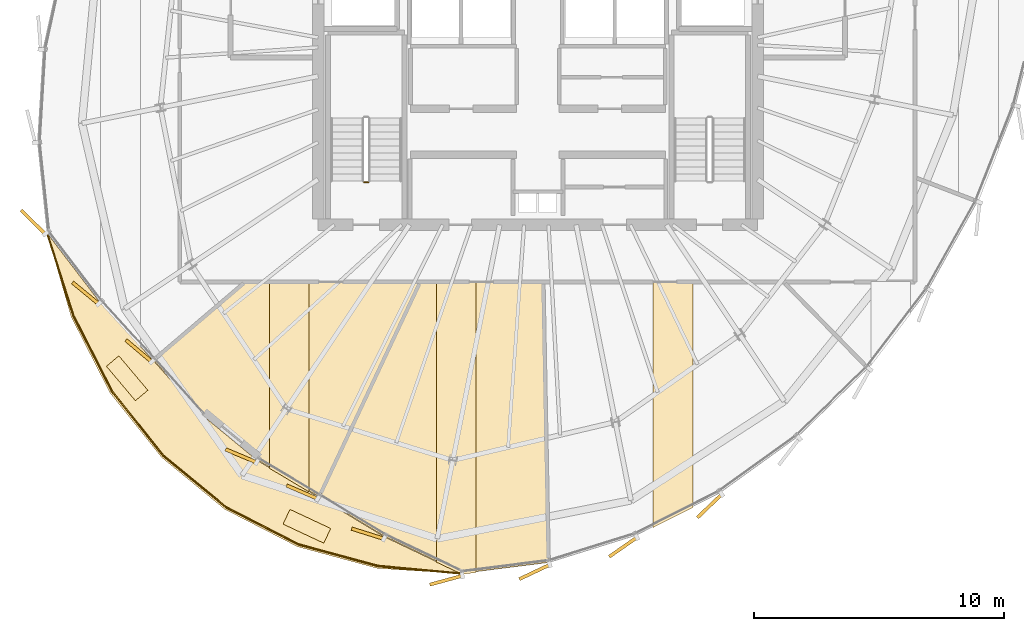
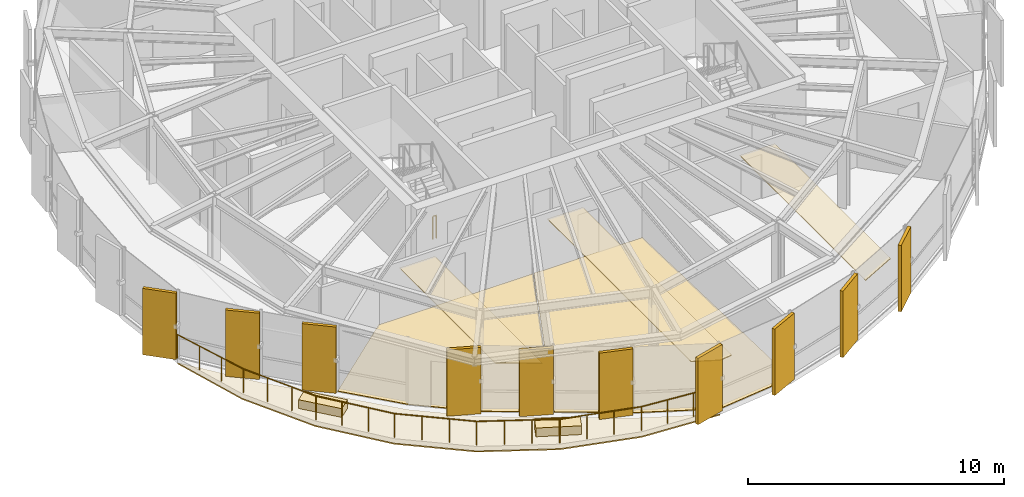
# One storey, part 30 of 34: 18 coverings, 8 railings.
"""IFC4 building model written with IfcOpenShell, lengths in metres."""

from ifc_helpers import new_model, si_unit, direction, frame, origin, origin_2d, place, context, subcontext, project, spatial, polyline, rectangle, circle, outline, extrude, source, transform, mapped, material, layer, layer_set, type_object, element, save


model = new_model("IFC4")

# Units and contexts
model_context = context("Model", 3, precision=1e-05, world=origin(), true_north=direction((0.0, 1.0)))
body_context = subcontext(model_context, "Body", "Model", "MODEL_VIEW")
ifc_project = project(units=[si_unit("LENGTHUNIT", "METRE"), si_unit("AREAUNIT", "SQUARE_METRE"), si_unit("VOLUMEUNIT", "CUBIC_METRE"), si_unit("PLANEANGLEUNIT", "RADIAN"), si_unit("MASSUNIT", "GRAM", prefix="KILO"), si_unit("THERMODYNAMICTEMPERATUREUNIT", "KELVIN")], contexts=[model_context])

# Site, building, storey
site_placement = place(None, origin())
site = spatial("IfcSite", under=ifc_project, at=site_placement, CompositionType="ELEMENT")
building_placement = place(site_placement, origin())
building = spatial("IfcBuilding", under=site, at=building_placement, Name="Kethvar Cultural Tower", CompositionType="ELEMENT")
storey_placement = place(building_placement, frame((0.0, 0.0, 262.89990234375)))
storey = spatial("IfcBuildingStorey", under=building, at=storey_placement, Name="L69", CompositionType="ELEMENT", Elevation=262.89990234375)

# Coverings
ifc_material_1 = material(Name="Acoustic Mineral Fibre Ceiling")
ifc_layer_1 = layer(ifc_material_1, 0.0400390625, Name="Acoustic Mineral Fibre Ceiling")
ifc_layer_set_1 = layer_set([ifc_layer_1], Name="Acoustic Mineral Fibre Ceiling (40 mm)")
covering_type_1 = type_object("IfcCoveringType", Name="CV-ACOUSTIC-CEIL", PredefinedType="CEILING", material=ifc_layer_set_1)
covering_1_placement = place(storey_placement, frame((0.0, 0.0, 2.340087890625)))
element("IfcCovering", 1, at=covering_1_placement, inside=storey, type_object=covering_type_1, Name="L69 Room 01 Acoustic Ceiling Panel", PredefinedType="CEILING", context=body_context, shape_type="SweptSolid", body=[
    extrude(outline(polyline([(37.640869140625, 17.826904296875), (37.640869140625, 9.404296875), (36.05078125, 10.3515625), (36.05078125, 17.826904296875), (37.640869140625, 17.826904296875)])), origin(), (0.0, 0.0, 1.0), 0.0400390625),
])
covering_2_placement = place(storey_placement, frame((0.0, 0.0, 2.340087890625)))
element("IfcCovering", 2, at=covering_2_placement, inside=storey, type_object=covering_type_1, Name="L69 Room 02 Acoustic Ceiling Panel", PredefinedType="CEILING", context=body_context, shape_type="SweptSolid", body=[
    extrude(outline(polyline([(43.765380859375, 6.10693359375), (42.7333984375, 6.595947265625), (42.7333984375, 17.826904296875), (44.323486328125, 17.826904296875), (44.323486328125, 6.17724609375), (43.765380859375, 6.10693359375)])), origin(), (0.0, 0.0, 1.0), 0.0400390625),
])
covering_3_placement = place(storey_placement, frame((0.0, 0.0, 2.340087890625)))
element("IfcCovering", 3, at=covering_3_placement, inside=storey, type_object=covering_type_1, Name="L69 Room 03 Acoustic Ceiling Panel", PredefinedType="CEILING", context=body_context, shape_type="SweptSolid", body=[
    extrude(outline(polyline([(51.417236328125, 7.97998046875), (51.417236328125, 17.826904296875), (53.00732421875, 17.826904296875), (53.00732421875, 8.784912109375), (51.417236328125, 7.97998046875)])), origin(), (0.0, 0.0, 1.0), 0.0400390625),
])
ifc_material_2 = material(Name="Insulated Waterproofing Membrane")
ifc_layer_2 = layer(ifc_material_2, 0.06005859375, Name="Insulated Waterproofing Membrane")
ifc_layer_set_2 = layer_set([ifc_layer_2], Name="Insulated Waterproofing Membrane (60 mm)")
covering_type_2 = type_object("IfcCoveringType", Name="CV-ROOF-MEMB", PredefinedType="ROOFING", material=ifc_layer_set_2)
covering_4_placement = place(storey_placement, frame((0.0, 0.0, -0.27490234375)))
element("IfcCovering", 4, at=covering_4_placement, inside=storey, type_object=covering_type_2, Name="L69 Terrace Waterproofing", PredefinedType="ROOFING", context=body_context, shape_type="SweptSolid", body=[
    extrude(outline(polyline([(27.1337890625, 19.78369140625), (28.11474609375, 16.406982421875), (29.663330078125, 13.376708984375), (31.732666015625, 10.784423828125), (34.259765625, 8.709228515625), (37.16796875, 7.214111328125), (40.36865234375, 6.344482421875), (43.764892578125, 6.126953125), (40.666015625, 7.602294921875), (38.02294921875, 9.199951171875), (35.5498046875, 10.67333984375), (33.34423828125, 12.49462890625), (31.396728515625, 14.668701171875), (29.26953125, 16.98779296875), (27.1337890625, 19.78369140625)])), origin(), (0.0, 0.0, 1.0), 0.06005859375),
])
ifc_material_3 = material(Name="Honed Warm Limestone", Category="masonry")
ifc_layer_3 = layer(ifc_material_3, 0.030029296875, Name="Honed Warm Limestone", Category="masonry")
ifc_layer_set_3 = layer_set([ifc_layer_3], Name="Honed Warm Limestone (30 mm)")
covering_type_3 = type_object("IfcCoveringType", Name="CV-STONE-FLOOR", PredefinedType="FLOORING", material=ifc_layer_set_3)
covering_5_placement = place(storey_placement, origin())
element("IfcCovering", 5, at=covering_5_placement, inside=storey, type_object=covering_type_3, Name="L69 Room 01 Floor Finish", PredefinedType="FLOORING", context=body_context, shape_type="SweptSolid", body=[
    extrude(outline(polyline([(35.5615234375, 10.689697265625), (33.358154296875, 12.50927734375), (31.42529296875, 14.666748046875), (35.08544921875, 17.787109375), (42.052978515625, 17.787109375), (38.014404296875, 9.228515625), (35.5615234375, 10.689697265625)])), origin(), (0.0, 0.0, 1.0), 0.030029296875),
])
covering_6_placement = place(storey_placement, origin())
element("IfcCovering", 6, at=covering_6_placement, inside=storey, type_object=covering_type_3, Name="L69 Room 02 Floor Finish", PredefinedType="FLOORING", context=body_context, shape_type="SweptSolid", body=[
    extrude(outline(polyline([(43.768310546875, 6.1474609375), (40.675537109375, 7.6201171875), (38.048828125, 9.207763671875), (42.09716796875, 17.787109375), (46.99365234375, 17.787109375), (47.23291015625, 6.585205078125), (43.768310546875, 6.1474609375)])), origin(), (0.0, 0.0, 1.0), 0.030029296875),
])

# Railings
ifc_material_4 = material(Name="Steel S355J2", Category="steel")
railing_type_1 = type_object("IfcRailingType", Name="RL-EXT-GUARD-1150", PredefinedType="BALUSTRADE", material=ifc_material_4)
railing_1_placement = place(storey_placement, frame((27.1337890625, 19.78369140625, 0.0)))
element("IfcRailing", 7, at=railing_1_placement, inside=storey, type_object=railing_type_1, Name="L69 Spiralling Terrace Balustrade 01", PredefinedType="BALUSTRADE", context=body_context, shape_type="SweptSolid", body=[
    extrude(circle(Radius=0.02392578125, at=origin_2d()), frame((0.0, 0.0, 1.1259765625), z_axis=(0.305425161888, -0.952216083925, 0.0), x_axis=(0.952216083925, 0.305425161888, 0.0)), (0.0, 0.0, 1.0), 3.491455078125),
    extrude(circle(Radius=0.02099609375, at=origin_2d()), origin(), (0.0, 0.0, 1.0), 1.101806640625),
    extrude(circle(Radius=0.02099609375, at=origin_2d()), frame((0.35546875, -1.108154296875, 0.0)), (0.0, 0.0, 1.0), 1.101806640625),
    extrude(circle(Radius=0.02099609375, at=origin_2d()), frame((0.7109375, -2.216552734375, 0.0)), (0.0, 0.0, 1.0), 1.101806640625),
    extrude(circle(Radius=0.02099609375, at=origin_2d()), frame((1.06640625, -3.32470703125, 0.0)), (0.0, 0.0, 1.0), 1.101806640625),
])
railing_2_placement = place(storey_placement, frame((28.2001953125, 16.458984375, 0.0)))
element("IfcRailing", 8, at=railing_2_placement, inside=storey, type_object=railing_type_1, Name="L69 Spiralling Terrace Balustrade 02", PredefinedType="BALUSTRADE", context=body_context, shape_type="SweptSolid", body=[
    extrude(circle(Radius=0.02392578125, at=origin_2d()), frame((0.0, 0.0, 1.1259765625), z_axis=(0.454462173963, -0.890766036868, 0.0), x_axis=(0.890766036868, 0.454462173963, 0.0)), (0.0, 0.0, 1.0), 3.38818359375),
    extrude(circle(Radius=0.02099609375, at=origin_2d()), origin(), (0.0, 0.0, 1.0), 1.101806640625),
    extrude(circle(Radius=0.02099609375, at=origin_2d()), frame((0.51318359375, -1.006103515625, 0.0)), (0.0, 0.0, 1.0), 1.101806640625),
    extrude(circle(Radius=0.02099609375, at=origin_2d()), frame((1.026611328125, -2.011962890625, 0.0)), (0.0, 0.0, 1.0), 1.101806640625),
    extrude(circle(Radius=0.02099609375, at=origin_2d()), frame((1.539794921875, -3.01806640625, 0.0)), (0.0, 0.0, 1.0), 1.101806640625),
])
railing_3_placement = place(storey_placement, frame((29.739990234375, 13.44091796875, 0.0)))
element("IfcRailing", 9, at=railing_3_placement, inside=storey, type_object=railing_type_1, Name="L69 Spiralling Terrace Balustrade 03", PredefinedType="BALUSTRADE", context=body_context, shape_type="SweptSolid", body=[
    extrude(circle(Radius=0.02392578125, at=origin_2d()), frame((0.0, 0.0, 1.1259765625), z_axis=(0.623558329277, -0.781776828762, 0.0), x_axis=(0.781776828762, 0.623558329277, 0.0)), (0.0, 0.0, 1.0), 3.30224609375),
    extrude(circle(Radius=0.02099609375, at=origin_2d()), origin(), (0.0, 0.0, 1.0), 1.101806640625),
    extrude(circle(Radius=0.02099609375, at=origin_2d()), frame((0.686279296875, -0.860595703125, 0.0)), (0.0, 0.0, 1.0), 1.101806640625),
    extrude(circle(Radius=0.02099609375, at=origin_2d()), frame((1.372802734375, -1.720947265625, 0.0)), (0.0, 0.0, 1.0), 1.101806640625),
    extrude(circle(Radius=0.02099609375, at=origin_2d()), frame((2.05908203125, -2.58154296875, 0.0)), (0.0, 0.0, 1.0), 1.101806640625),
])
railing_4_placement = place(storey_placement, frame((31.799072265625, 10.859375, 0.0)))
element("IfcRailing", 10, at=railing_4_placement, inside=storey, type_object=railing_type_1, Name="L69 Spiralling Terrace Balustrade 04", PredefinedType="BALUSTRADE", context=body_context, shape_type="SweptSolid", body=[
    extrude(circle(Radius=0.02392578125, at=origin_2d()), frame((0.0, 0.0, 1.1259765625), z_axis=(0.772726254525, -0.63473942336, 0.0), x_axis=(0.63473942336, 0.772726254525, 0.0)), (0.0, 0.0, 1.0), 3.255615234375),
    extrude(circle(Radius=0.02099609375, at=origin_2d()), origin(), (0.0, 0.0, 1.0), 1.101806640625),
    extrude(circle(Radius=0.02099609375, at=origin_2d()), frame((0.838623046875, -0.688720703125, 0.0)), (0.0, 0.0, 1.0), 1.101806640625),
    extrude(circle(Radius=0.02099609375, at=origin_2d()), frame((1.677001953125, -1.377685546875, 0.0)), (0.0, 0.0, 1.0), 1.101806640625),
    extrude(circle(Radius=0.02099609375, at=origin_2d()), frame((2.515625, -2.06640625, 0.0)), (0.0, 0.0, 1.0), 1.101806640625),
])
railing_5_placement = place(storey_placement, frame((34.314697265625, 8.79296875, 0.0)))
element("IfcRailing", 11, at=railing_5_placement, inside=storey, type_object=railing_type_1, Name="L69 Spiralling Terrace Balustrade 05", PredefinedType="BALUSTRADE", context=body_context, shape_type="SweptSolid", body=[
    extrude(circle(Radius=0.02392578125, at=origin_2d()), frame((0.0, 0.0, 1.1259765625), z_axis=(0.889392350018, -0.457144668272, 0.0), x_axis=(0.457144668272, 0.889392350018, 0.0)), (0.0, 0.0, 1.0), 3.255615234375),
    extrude(circle(Radius=0.02099609375, at=origin_2d()), origin(), (0.0, 0.0, 1.0), 1.101806640625),
    extrude(circle(Radius=0.02099609375, at=origin_2d()), frame((0.965087890625, -0.49609375, 0.0)), (0.0, 0.0, 1.0), 1.101806640625),
    extrude(circle(Radius=0.02099609375, at=origin_2d()), frame((1.930419921875, -0.9921875, 0.0)), (0.0, 0.0, 1.0), 1.101806640625),
    extrude(circle(Radius=0.02099609375, at=origin_2d()), frame((2.8955078125, -1.48828125, 0.0)), (0.0, 0.0, 1.0), 1.101806640625),
])
railing_6_placement = place(storey_placement, frame((37.210205078125, 7.3046875, 0.0)))
element("IfcRailing", 12, at=railing_6_placement, inside=storey, type_object=railing_type_1, Name="L69 Spiralling Terrace Balustrade 06", PredefinedType="BALUSTRADE", context=body_context, shape_type="SweptSolid", body=[
    extrude(circle(Radius=0.02392578125, at=origin_2d()), frame((0.0, 0.0, 1.1259765625), z_axis=(0.965146658065, -0.261709626162, 0.0), x_axis=(0.261709626162, 0.965146658065, 0.0)), (0.0, 0.0, 1.0), 3.30224609375),
    extrude(circle(Radius=0.02099609375, at=origin_2d()), origin(), (0.0, 0.0, 1.0), 1.101806640625),
    extrude(circle(Radius=0.02099609375, at=origin_2d()), frame((1.0625, -0.2880859375, 0.0)), (0.0, 0.0, 1.0), 1.101806640625),
    extrude(circle(Radius=0.02099609375, at=origin_2d()), frame((2.124755859375, -0.576171875, 0.0)), (0.0, 0.0, 1.0), 1.101806640625),
    extrude(circle(Radius=0.02099609375, at=origin_2d()), frame((3.187255859375, -0.8642578125, 0.0)), (0.0, 0.0, 1.0), 1.101806640625),
])
railing_7_placement = place(storey_placement, frame((40.3974609375, 6.4404296875, 0.0)))
element("IfcRailing", 13, at=railing_7_placement, inside=storey, type_object=railing_type_1, Name="L69 Spiralling Terrace Balustrade 07", PredefinedType="BALUSTRADE", context=body_context, shape_type="SweptSolid", body=[
    extrude(circle(Radius=0.02392578125, at=origin_2d()), frame((0.0, 0.0, 1.1259765625), z_axis=(0.995695020657, -0.092689944648, 0.0), x_axis=(0.092689944648, 0.995695020657, 0.0)), (0.0, 0.0, 1.0), 3.382080078125),
    extrude(circle(Radius=0.02099609375, at=origin_2d()), origin(), (0.0, 0.0, 1.0), 1.101806640625),
    extrude(circle(Radius=0.02099609375, at=origin_2d()), frame((1.12255859375, -0.1044921875, 0.0)), (0.0, 0.0, 1.0), 1.101806640625),
    extrude(circle(Radius=0.02099609375, at=origin_2d()), frame((2.244873046875, -0.208984375, 0.0)), (0.0, 0.0, 1.0), 1.101806640625),
    extrude(circle(Radius=0.02099609375, at=origin_2d()), frame((3.367431640625, -0.3134765625, 0.0)), (0.0, 0.0, 1.0), 1.101806640625),
])
railing_type_2 = type_object("IfcRailingType", Name="RL-STAIR-GUARD", PredefinedType="BALUSTRADE", material=ifc_material_4)
railing_8_placement = place(storey_placement, frame((40.0, 21.800048828125, 0.0)))
element("IfcRailing", 14, at=railing_8_placement, inside=storey, type_object=railing_type_2, Name="L69 ST-01 stair guard 4", PredefinedType="BALUSTRADE", context=body_context, shape_type="SweptSolid", body=[
    extrude(circle(Radius=0.02392578125, at=origin_2d()), frame((0.0, 0.0, 1.09619140625), z_axis=(-1.0, 0.0, 0.0), x_axis=(0.0, -1.0, 0.0)), (0.0, 0.0, 1.0), 0.159912109375),
    extrude(circle(Radius=0.02099609375, at=origin_2d()), origin(), (0.0, 0.0, 1.0), 1.072021484375),
    extrude(circle(Radius=0.02099609375, at=origin_2d()), frame((-0.159912109375, 0.0, 0.0)), (0.0, 0.0, 1.0), 1.072021484375),
])

# Coverings
ifc_material_5 = material(Name="Extruded Architectural Terracotta", Category="masonry")
ifc_layer_4 = layer(ifc_material_5, 0.419921875, Name="Extruded Architectural Terracotta", Category="masonry")
ifc_layer_set_4 = layer_set([ifc_layer_4], Name="Extruded Architectural Terracotta (420 mm)")
covering_type_4 = type_object("IfcCoveringType", Name="Terracotta Terrace Planter PLANTER-01", PredefinedType="USERDEFINED", material=ifc_layer_set_4)
shared_shape_1 = source(origin(), body_context, "Body", "SweptSolid", [
    extrude(rectangle(XDim=1.800048828125, YDim=0.64990234375, at=origin_2d()), origin(), (0.0, 0.0, 1.0), 0.419921875),
])
for number, where, z_axis, x_axis, name in (
    (15, (30.35205078125, 13.9560546875, 0.000244140625), (0.0, 0.0, 1.0), (0.643990115982, -0.765033810049, 0.0), "L69 Sky Terrace Planter Box A"),
    (16, (37.54931640625, 8.029296875, 0.000244140625), (0.0, 0.0, 1.0), (0.905790785166, -0.423725209904, 0.0), "L69 Sky Terrace Planter Box B"),
):
    element("IfcCovering", number, at=place(storey_placement, frame(where, z_axis=z_axis, x_axis=x_axis)), inside=storey, type_object=covering_type_4, Name=name, ObjectType="PLANTER", PredefinedType="USERDEFINED", context=body_context, shape_type="MappedRepresentation", body=[
        mapped(shared_shape_1, transform((0.0, 0.0, 0.0), scale=1.0)),
    ])
ifc_layer_5 = layer(ifc_material_5, 0.135009765625, Name="Extruded Architectural Terracotta", Category="masonry")
ifc_layer_set_5 = layer_set([ifc_layer_5], Name="Extruded Architectural Terracotta (135 mm)")
covering_type_5 = type_object("IfcCoveringType", Name="Terracotta Facade Fin FIN-03", PredefinedType="CLADDING", material=ifc_layer_set_5)
shared_shape_2 = source(origin(), body_context, "Body", "SweptSolid", [
    extrude(rectangle(XDim=1.35009765625, YDim=0.135009765625, at=origin_2d()), origin(), (0.0, 0.0, 1.0), 3.169921875),
])
for number, where, z_axis, x_axis, name in (
    (17, (26.590087890625, 20.209228515625, 0.02001953125), (0.0, 0.0, 1.0), (-0.711658301926, 0.702525772694, 0.0), "L69 Vertical Terracotta Fin 3.3"),
    (18, (28.689453125, 17.36279296875, 0.02001953125), (0.0, 0.0, 1.0), (-0.771957527377, 0.635674111417, 0.0), "L69 Vertical Terracotta Fin 3.4"),
    (19, (30.8212890625, 15.050537109375, 0.02001953125), (0.0, 0.0, 1.0), (-0.764359005823, 0.644790904261, 0.0), "L69 Vertical Terracotta Fin 3.5"),
    (20, (34.91748046875, 10.847900390625, 0.02001953125), (0.0, 0.0, 1.0), (-0.921930771776, 0.387354685078, 0.0), "L69 Vertical Terracotta Fin 4.1"),
    (21, (37.36083984375, 9.396728515625, 0.02001953125), (0.0, 0.0, 1.0), (-0.9194787684, 0.393139662794, 0.0), "L69 Vertical Terracotta Fin 4.2"),
    (22, (39.98779296875, 7.732666015625, 0.02001953125), (0.0, 0.0, 1.0), (-0.953926650567, 0.300039906241, 0.0), "L69 Vertical Terracotta Fin 4.3"),
    (23, (43.12353515625, 5.87060546875, 0.02001953125), (0.0, 0.0, 1.0), (-0.965016494472, -0.262189178641, 0.0), "L69 Vertical Terracotta Fin 4.4"),
    (24, (46.667236328125, 6.2021484375, 0.02001953125), (0.0, 0.0, 1.0), (-0.903634525916, -0.428304381921, 0.0), "L69 Vertical Terracotta Fin 4.5"),
    (25, (50.2099609375, 7.196533203125, 0.02001953125), (0.0, 0.0, 1.0), (-0.820750575823, -0.571286698852, 0.0), "L69 Vertical Terracotta Fin 4.6"),
    (26, (53.671630859375, 8.840576171875, 0.02001953125), (0.0, 0.0, 1.0), (-0.722001787667, -0.69189118986, 0.0), "L69 Vertical Terracotta Fin 5.1"),
):
    element("IfcCovering", number, at=place(storey_placement, frame(where, z_axis=z_axis, x_axis=x_axis)), inside=storey, type_object=covering_type_5, Name=name, PredefinedType="CLADDING", context=body_context, shape_type="MappedRepresentation", body=[
        mapped(shared_shape_2, transform((0.0, 0.0, 0.0), scale=1.0)),
    ])

save(model, "model.ifc")
